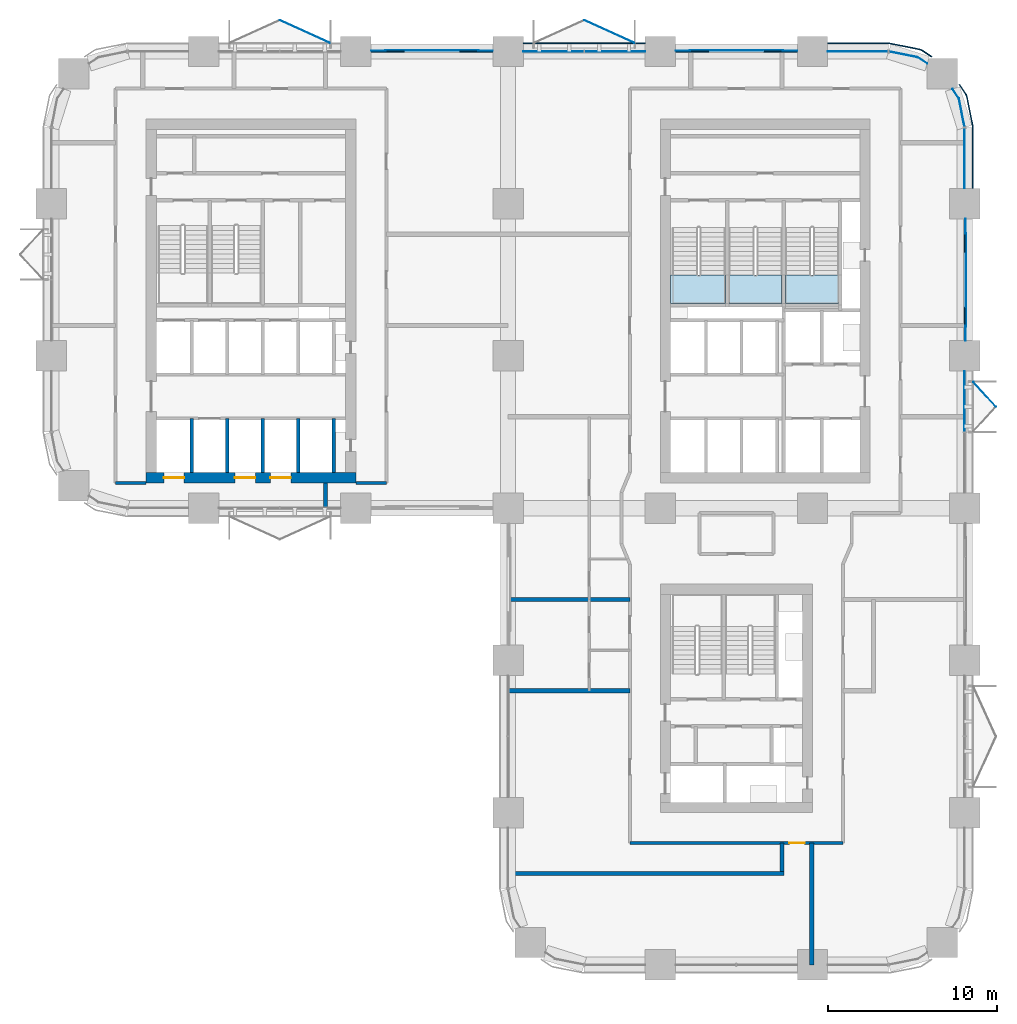
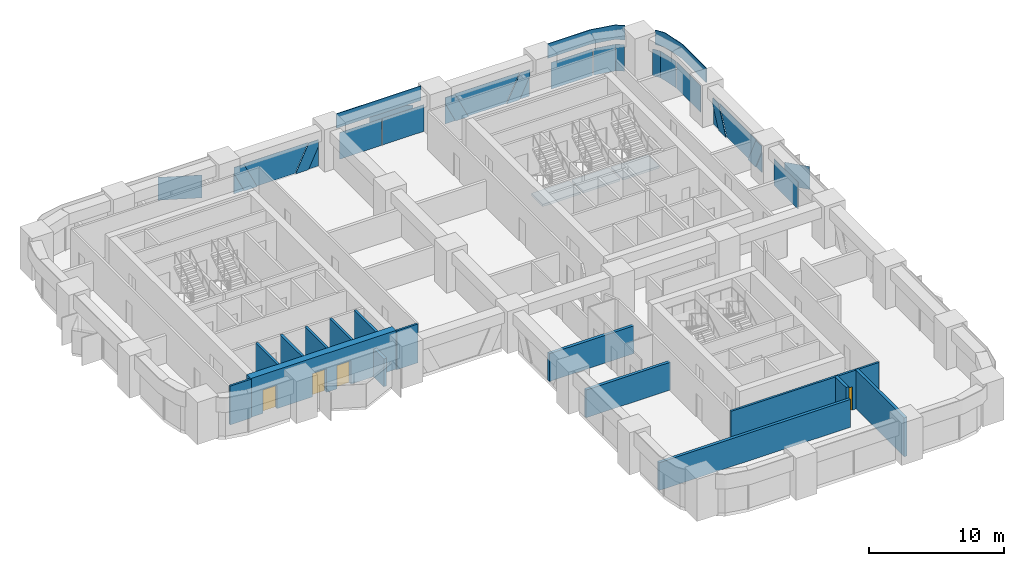
# One storey, part 11 of 18: 28 plates, 15 walls, 4 doors, 3 slabs, 4 openings, 10 elements without a shape of their own.
"""IFC4 building model written with IfcOpenShell, lengths in metres."""

from ifc_helpers import new_model, si_unit, direction, frame, frame_2d, origin, origin_2d, place, context, subcontext, project, spatial, polyline, rectangle, outline, extrude, material, layer, layer_set, type_object, element, fill, aggregate, save


model = new_model("IFC4")

# Units and contexts
model_context = context("Model", 3, precision=1e-05, world=origin(), true_north=direction((0.0, 1.0)))
body_context = subcontext(model_context, "Body", "Model", "MODEL_VIEW")
ifc_project = project(units=[si_unit("LENGTHUNIT", "METRE"), si_unit("AREAUNIT", "SQUARE_METRE"), si_unit("VOLUMEUNIT", "CUBIC_METRE"), si_unit("PLANEANGLEUNIT", "RADIAN"), si_unit("MASSUNIT", "GRAM", prefix="KILO")], contexts=[model_context])

# Site, building, storey
site_placement = place(None, origin())
site = spatial("IfcSite", under=ifc_project, at=site_placement, CompositionType="ELEMENT")
building_placement = place(site_placement, origin())
building = spatial("IfcBuilding", under=site, at=building_placement, Name="Tessera Arch", CompositionType="ELEMENT")
storey_placement = place(building_placement, frame((0.0, 0.0, 89.199951171875)))
storey = spatial("IfcBuildingStorey", under=building, at=storey_placement, Name="L20", CompositionType="ELEMENT", Elevation=89.199951171875)

# Curtain wall, plates
ifc_material_1 = material(Name="CW1 curtain wall")
curtain_wall_type_1 = type_object("IfcCurtainWallType", Name="CW1 curtain wall", PredefinedType="NOTDEFINED", material=ifc_material_1)
curtain_wall_1_placement = place(storey_placement, origin())
curtain_wall_1 = element("IfcCurtainWall", 1, at=curtain_wall_1_placement, inside=storey, type_object=curtain_wall_type_1, Name="CW1 curtain wall N54.0/1 L20", PredefinedType="NOTDEFINED")
ifc_material_2 = material(Name="Clear low-e glass", Category="glass")
ifc_material_3 = material(Name="Clear low-e glass", Category="glass")
ifc_layer_1 = layer(ifc_material_3, 0.028076171875)
ifc_layer_set_1 = layer_set([ifc_layer_1], Name="CW1 glass panel")
plate_type_1 = type_object("IfcPlateType", Name="CW1 glass panel", PredefinedType="CURTAIN_PANEL", material=ifc_layer_set_1)
plate_1_placement = place(storey_placement, frame((33.31494140625, 54.0, 0.0), z_axis=(0.0, 0.0, 1.0), x_axis=(-1.0, 0.0, 0.0)))
plate_1 = element("IfcPlate", 2, at=plate_1_placement, type_object=plate_type_1, material=ifc_material_2, Name="CW1 glass panel N54.0/1 1.1.1", PredefinedType="CURTAIN_PANEL", context=body_context, shape_type="SweptSolid", body=[
    extrude(rectangle(XDim=3.570068359375, YDim=0.028076171875, at=origin_2d()), origin(), (0.0, 0.0, 1.0), 2.39990234375),
])
plate_2_placement = place(storey_placement, frame((29.68505859375, 54.0, 0.0), z_axis=(0.0, 0.0, 1.0), x_axis=(-1.0, 0.0, 0.0)))
plate_2 = element("IfcPlate", 3, at=plate_2_placement, type_object=plate_type_1, material=ifc_material_2, Name="CW1 glass panel N54.0/1 1.2.1", PredefinedType="CURTAIN_PANEL", context=body_context, shape_type="SweptSolid", body=[
    extrude(rectangle(XDim=3.570068359375, YDim=0.028076171875, at=origin_2d()), origin(), (0.0, 0.0, 1.0), 2.39990234375),
])

# Curtain wall, plate
curtain_wall_2_placement = place(storey_placement, origin())
curtain_wall_2 = element("IfcCurtainWall", 4, at=curtain_wall_2_placement, inside=storey, type_object=curtain_wall_type_1, Name="CW1 curtain wall E54.0/3 L20", PredefinedType="NOTDEFINED")
plate_3_placement = place(storey_placement, frame((54.0, 33.31494140625, 0.0), z_axis=(0.0, 0.0, 1.0), x_axis=(0.0, 1.0, 0.0)))
plate_3 = element("IfcPlate", 5, at=plate_3_placement, type_object=plate_type_1, material=ifc_material_2, Name="CW1 glass panel E54.0/3 1.2.1", PredefinedType="CURTAIN_PANEL", context=body_context, shape_type="SweptSolid", body=[
    extrude(rectangle(XDim=3.570068359375, YDim=0.028076171875, at=origin_2d()), origin(), (0.0, 0.0, 1.0), 2.39990234375),
])
aggregate(curtain_wall_2, [plate_3])

# Plate
ifc_material_4 = material(Name="Pale anodised aluminium panel", Category="aluminium")
ifc_layer_2 = layer(ifc_material_4, 0.06005859375)
ifc_layer_set_2 = layer_set([ifc_layer_2], Name="CW1 spandrel panel")
plate_type_2 = type_object("IfcPlateType", Name="CW1 spandrel panel", PredefinedType="CURTAIN_PANEL", material=ifc_layer_set_2)
plate_4_placement = place(storey_placement, frame((31.5, 54.47998046875, 2.5), z_axis=(0.0, 0.0, 1.0), x_axis=(-1.0, 0.0, 0.0)))
plate_4 = element("IfcPlate", 6, at=plate_4_placement, type_object=plate_type_2, Name="CW1 spandrel panel N54.0/1", PredefinedType="CURTAIN_PANEL", context=body_context, shape_type="SweptSolid", body=[
    extrude(rectangle(XDim=7.199951171875, YDim=0.06005859375, at=origin_2d()), origin(), (0.0, 0.0, 1.0), 1.300048828125),
])

aggregate(curtain_wall_1, [plate_1, plate_2, plate_4])

# Curtain wall, plates
ifc_material_5 = material(Name="CW2 curtain wall")
curtain_wall_type_2 = type_object("IfcCurtainWallType", Name="CW2 curtain wall", PredefinedType="NOTDEFINED", material=ifc_material_5)
curtain_wall_3_placement = place(storey_placement, origin())
curtain_wall_3 = element("IfcCurtainWall", 7, at=curtain_wall_3_placement, inside=storey, type_object=curtain_wall_type_2, Name="CW2 curtain wall E54.0/5 L20", PredefinedType="NOTDEFINED")
ifc_material_6 = material(Name="Clear low-e glass", Category="glass")
ifc_layer_3 = layer(ifc_material_6, 0.028076171875)
ifc_layer_set_3 = layer_set([ifc_layer_3], Name="CW2 glass panel")
plate_type_3 = type_object("IfcPlateType", Name="CW2 glass panel", PredefinedType="CURTAIN_PANEL", material=ifc_layer_set_3)
plate_5_placement = place(storey_placement, frame((54.0, 47.679931640625, 0.0), z_axis=(0.0, 0.0, 1.0), x_axis=(0.0, 1.0, 0.0)))
plate_5 = element("IfcPlate", 8, at=plate_5_placement, type_object=plate_type_3, material=ifc_material_2, Name="CW2 glass panel E54.0/5 1.1", PredefinedType="CURTAIN_PANEL", context=body_context, shape_type="SweptSolid", body=[
    extrude(rectangle(XDim=3.56005859375, YDim=0.028076171875, at=origin_2d()), origin(), (0.0, 0.0, 1.0), 2.39990234375),
])
plate_6_placement = place(storey_placement, origin())
plate_6 = element("IfcPlate", 9, at=plate_6_placement, type_object=plate_type_3, material=ifc_material_2, Name="CW2 curved glass panel E54.0/5 2.1", PredefinedType="CURTAIN_PANEL", context=body_context, shape_type="SweptSolid", body=[
    extrude(outline(polyline([(53.644287109375, 51.216552734375), (53.978515625, 49.53662109375), (54.005859375, 49.5419921875), (53.670654296875, 51.2275390625), (53.294921875, 51.789794921875), (53.271728515625, 51.774169921875), (53.644287109375, 51.216552734375)])), origin(), (0.0, 0.0, 1.0), 2.400146484375),
])

curtain_wall_4_placement = place(storey_placement, origin())
curtain_wall_4 = element("IfcCurtainWall", 10, at=curtain_wall_4_placement, inside=storey, type_object=curtain_wall_type_2, Name="CW2 curtain wall N54.0/5 L20", PredefinedType="NOTDEFINED")
plate_7_placement = place(storey_placement, frame((47.679931640625, 54.0, 0.0), z_axis=(0.0, 0.0, 1.0), x_axis=(-1.0, 0.0, 0.0)))
plate_7 = element("IfcPlate", 11, at=plate_7_placement, type_object=plate_type_3, material=ifc_material_2, Name="CW2 glass panel N54.0/5 1.1", PredefinedType="CURTAIN_PANEL", context=body_context, shape_type="SweptSolid", body=[
    extrude(rectangle(XDim=3.56005859375, YDim=0.028076171875, at=origin_2d()), origin(), (0.0, 0.0, 1.0), 2.39990234375),
])
plate_8_placement = place(storey_placement, origin())
plate_8 = element("IfcPlate", 12, at=plate_8_placement, type_object=plate_type_3, material=ifc_material_2, Name="CW2 curved glass panel N54.0/5 2.1", PredefinedType="CURTAIN_PANEL", context=body_context, shape_type="SweptSolid", body=[
    extrude(outline(polyline([(51.216552734375, 53.644287109375), (51.774169921875, 53.271728515625), (51.789794921875, 53.294921875), (51.2275390625, 53.670654296875), (49.5419921875, 54.005859375), (49.53662109375, 53.978515625), (51.216552734375, 53.644287109375)])), origin(), (0.0, 0.0, 1.0), 2.400146484375),
])

# Plate
ifc_material_7 = material(Name="Pale anodised aluminium panel", Category="aluminium")
ifc_layer_4 = layer(ifc_material_7, 0.06005859375)
ifc_layer_set_4 = layer_set([ifc_layer_4], Name="CW2 spandrel panel")
plate_type_4 = type_object("IfcPlateType", Name="CW2 spandrel panel", PredefinedType="CURTAIN_PANEL", material=ifc_layer_set_4)
plate_9_placement = place(storey_placement, frame((0.0, 0.0, 2.5)))
plate_9 = element("IfcPlate", 13, at=plate_9_placement, type_object=plate_type_4, Name="CW2 spandrel panel E54.0/5", PredefinedType="CURTAIN_PANEL", context=body_context, shape_type="SweptSolid", body=[
    extrude(outline(polyline([(54.449951171875, 49.499267578125), (54.449951171875, 45.89990234375), (54.510009765625, 45.89990234375), (54.510009765625, 49.500732421875), (54.507568359375, 49.550048828125), (54.500244140625, 49.598876953125), (54.157470703125, 51.322265625), (54.1455078125, 51.3701171875), (54.128662109375, 51.417236328125), (54.107177734375, 51.462646484375), (54.08203125, 51.5048828125), (53.707275390625, 52.0654296875), (53.657470703125, 52.031982421875), (54.03125, 51.47265625), (54.05419921875, 51.434326171875), (54.0732421875, 51.394287109375), (54.088134765625, 51.352783203125), (54.09912109375, 51.30908203125), (54.441162109375, 49.588623046875), (54.44775390625, 49.544189453125), (54.449951171875, 49.499267578125)])), origin(), (0.0, 0.0, 1.0), 1.300048828125),
])

aggregate(curtain_wall_3, [plate_5, plate_6, plate_9])

plate_10_placement = place(storey_placement, frame((0.0, 0.0, 2.5)))
plate_10 = element("IfcPlate", 14, at=plate_10_placement, type_object=plate_type_4, Name="CW2 spandrel panel N54.0/5", PredefinedType="CURTAIN_PANEL", context=body_context, shape_type="SweptSolid", body=[
    extrude(outline(polyline([(51.47265625, 54.03125), (52.031982421875, 53.657470703125), (52.0654296875, 53.707275390625), (51.5048828125, 54.08203125), (51.462646484375, 54.107177734375), (51.417236328125, 54.128662109375), (51.3701171875, 54.1455078125), (51.322265625, 54.157470703125), (49.598876953125, 54.500244140625), (49.550048828125, 54.507568359375), (49.500732421875, 54.510009765625), (45.89990234375, 54.510009765625), (45.89990234375, 54.449951171875), (49.499267578125, 54.449951171875), (49.544189453125, 54.44775390625), (49.588623046875, 54.441162109375), (51.30908203125, 54.09912109375), (51.352783203125, 54.088134765625), (51.394287109375, 54.0732421875), (51.434326171875, 54.05419921875), (51.47265625, 54.03125)])), origin(), (0.0, 0.0, 1.0), 1.300048828125),
])

aggregate(curtain_wall_4, [plate_7, plate_8, plate_10])

# Curtain wall, plates
ifc_material_8 = material(Name="CW3 curtain wall")
curtain_wall_type_3 = type_object("IfcCurtainWallType", Name="CW3 curtain wall", PredefinedType="NOTDEFINED", material=ifc_material_8)
curtain_wall_5_placement = place(storey_placement, origin())
curtain_wall_5 = element("IfcCurtainWall", 15, at=curtain_wall_5_placement, inside=storey, type_object=curtain_wall_type_3, Name="CW3 curtain wall N54.0/0 L20", PredefinedType="NOTDEFINED")
ifc_material_9 = material(Name="Pale anodised aluminium panel", Category="aluminium")
ifc_layer_5 = layer(ifc_material_9, 0.06005859375)
ifc_layer_set_5 = layer_set([ifc_layer_5], Name="CW3 diagonal panel")
plate_type_5 = type_object("IfcPlateType", Name="CW3 diagonal panel", PredefinedType="CURTAIN_PANEL", material=ifc_layer_set_5)
plate_11_placement = place(storey_placement, frame((36.89990234375, 54.030029296875, 2.400146484375), z_axis=(0.0, 1.0, 0.0), x_axis=(1.0, 0.0, 0.0)))
plate_11 = element("IfcPlate", 16, at=plate_11_placement, type_object=plate_type_5, Name="CW3 diagonal panel N54.0/0 1", PredefinedType="CURTAIN_PANEL", context=body_context, shape_type="SweptSolid", body=[
    extrude(outline(polyline([(0.0, 0.0), (0.834228515625, 0.0), (1.97119140625, 2.400146484375), (0.87109375, 2.400146484375), (0.0, 0.56103515625), (0.0, 0.0)])), origin(), (0.0, 0.0, -1.0), 0.06005859375),
])
plate_12_placement = place(storey_placement, frame((44.10009765625, 54.030029296875, 2.400146484375), z_axis=(0.0, 1.0, 0.0), x_axis=(0.0, 0.0, -1.0)))
plate_12 = element("IfcPlate", 17, at=plate_12_placement, type_object=plate_type_5, Name="CW3 diagonal panel N54.0/0 2", PredefinedType="CURTAIN_PANEL", context=body_context, shape_type="SweptSolid", body=[
    extrude(outline(polyline([(0.0, 0.0), (0.56103515625, 0.0), (2.400146484375, 0.87109375), (2.400146484375, 1.97119140625), (0.0, 0.834228515625), (0.0, 0.0)])), origin(), (0.0, 0.0, -1.0), 0.06005859375),
])

curtain_wall_6_placement = place(storey_placement, origin())
curtain_wall_6 = element("IfcCurtainWall", 18, at=curtain_wall_6_placement, inside=storey, type_object=curtain_wall_type_3, Name="CW3 curtain wall N54.0/2 L20", PredefinedType="NOTDEFINED")
plate_13_placement = place(storey_placement, frame((18.89990234375, 54.030029296875, 2.400146484375), z_axis=(0.0, 1.0, 0.0), x_axis=(1.0, 0.0, 0.0)))
plate_13 = element("IfcPlate", 19, at=plate_13_placement, type_object=plate_type_5, Name="CW3 diagonal panel N54.0/2 1", PredefinedType="CURTAIN_PANEL", context=body_context, shape_type="SweptSolid", body=[
    extrude(outline(polyline([(0.0, 0.0), (0.834228515625, 0.0), (1.97119140625, 2.400146484375), (0.87109375, 2.400146484375), (0.0, 0.56103515625), (0.0, 0.0)])), origin(), (0.0, 0.0, -1.0), 0.06005859375),
])
plate_14_placement = place(storey_placement, frame((26.10009765625, 54.030029296875, 2.400146484375), z_axis=(0.0, 1.0, 0.0), x_axis=(0.0, 0.0, -1.0)))
plate_14 = element("IfcPlate", 20, at=plate_14_placement, type_object=plate_type_5, Name="CW3 diagonal panel N54.0/2 2", PredefinedType="CURTAIN_PANEL", context=body_context, shape_type="SweptSolid", body=[
    extrude(outline(polyline([(0.0, 0.0), (0.56103515625, 0.0), (2.400146484375, 0.87109375), (2.400146484375, 1.97119140625), (0.0, 0.834228515625), (0.0, 0.0)])), origin(), (0.0, 0.0, -1.0), 0.06005859375),
])

curtain_wall_7_placement = place(storey_placement, origin())
curtain_wall_7 = element("IfcCurtainWall", 21, at=curtain_wall_7_placement, inside=storey, type_object=curtain_wall_type_3, Name="CW3 curtain wall E54.0/4 L20", PredefinedType="NOTDEFINED")
plate_15_placement = place(storey_placement, frame((54.030029296875, 44.10009765625, 2.400146484375), z_axis=(1.0, 0.0, 0.0), x_axis=(0.0, -1.0, 0.0)))
plate_15 = element("IfcPlate", 22, at=plate_15_placement, type_object=plate_type_5, Name="CW3 diagonal panel E54.0/4 1", PredefinedType="CURTAIN_PANEL", context=body_context, shape_type="SweptSolid", body=[
    extrude(outline(polyline([(0.0, 0.0), (0.834228515625, 0.0), (1.97119140625, 2.400146484375), (0.87109375, 2.400146484375), (0.0, 0.56103515625), (0.0, 0.0)])), origin(), (0.0, 0.0, -1.0), 0.06005859375),
])
plate_16_placement = place(storey_placement, frame((54.030029296875, 36.89990234375, 2.400146484375), z_axis=(1.0, 0.0, 0.0), x_axis=(0.0, 0.0, -1.0)))
plate_16 = element("IfcPlate", 23, at=plate_16_placement, type_object=plate_type_5, Name="CW3 diagonal panel E54.0/4 2", PredefinedType="CURTAIN_PANEL", context=body_context, shape_type="SweptSolid", body=[
    extrude(outline(polyline([(0.0, 0.0), (0.56103515625, 0.0), (2.400146484375, 0.87109375), (2.400146484375, 1.97119140625), (0.0, 0.834228515625), (0.0, 0.0)])), origin(), (0.0, 0.0, -1.0), 0.06005859375),
])

# Plate
ifc_material_10 = material(Name="Clear low-e glass", Category="glass")
ifc_layer_6 = layer(ifc_material_10, 0.028076171875)
ifc_layer_set_6 = layer_set([ifc_layer_6], Name="CW3 glass panel")
plate_type_6 = type_object("IfcPlateType", Name="CW3 glass panel", PredefinedType="CURTAIN_PANEL", material=ifc_layer_set_6)
plate_17_placement = place(storey_placement, frame((44.10009765625, 54.05810546875, 0.0), z_axis=(0.0, 1.0, 0.0), x_axis=(-1.0, 0.0, 0.0)))
plate_17 = element("IfcPlate", 24, at=plate_17_placement, type_object=plate_type_6, material=ifc_material_2, Name="CW3 triangulated glass panel N54.0/0 1", PredefinedType="CURTAIN_PANEL", context=body_context, shape_type="SweptSolid", body=[
    extrude(outline(polyline([(0.0, 0.0), (0.87109375, 0.0), (0.0, 1.839111328125), (0.0, 0.0)])), origin(), (0.0, 0.0, -1.0), 0.028076171875),
])

plate_18_placement = place(storey_placement, frame((37.734130859375, 54.0859375, 2.400146484375), z_axis=(0.0, 1.0, 0.0), x_axis=(1.0, 0.0, 0.0)))
plate_18 = element("IfcPlate", 25, at=plate_18_placement, type_object=plate_type_6, material=ifc_material_2, Name="CW3 triangulated glass panel N54.0/0 2", PredefinedType="CURTAIN_PANEL", context=body_context, shape_type="SweptSolid", body=[
    extrude(outline(polyline([(0.0, 0.0), (5.53173828125, 0.0), (4.394775390625, 2.400146484375), (1.136962890625, 2.400146484375), (0.0, 0.0)])), origin(), (0.0, 0.0, -1.0), 0.028076171875),
])

plate_19_placement = place(storey_placement, frame((36.89990234375, 54.05810546875, 0.0), z_axis=(0.0, 1.0, 0.0), x_axis=(0.0, 0.0, 1.0)))
plate_19 = element("IfcPlate", 26, at=plate_19_placement, type_object=plate_type_6, material=ifc_material_2, Name="CW3 triangulated glass panel N54.0/0 3", PredefinedType="CURTAIN_PANEL", context=body_context, shape_type="SweptSolid", body=[
    extrude(outline(polyline([(0.0, 0.0), (1.839111328125, 0.0), (0.0, 0.87109375), (0.0, 0.0)])), origin(), (0.0, 0.0, -1.0), 0.028076171875),
])

aggregate(curtain_wall_5, [plate_17, plate_18, plate_19, plate_11, plate_12])

plate_20_placement = place(storey_placement, frame((26.10009765625, 54.05810546875, 0.0), z_axis=(0.0, 1.0, 0.0), x_axis=(-1.0, 0.0, 0.0)))
plate_20 = element("IfcPlate", 27, at=plate_20_placement, type_object=plate_type_6, material=ifc_material_2, Name="CW3 triangulated glass panel N54.0/2 1", PredefinedType="CURTAIN_PANEL", context=body_context, shape_type="SweptSolid", body=[
    extrude(outline(polyline([(0.0, 0.0), (0.87109375, 0.0), (0.0, 1.839111328125), (0.0, 0.0)])), origin(), (0.0, 0.0, -1.0), 0.028076171875),
])

plate_21_placement = place(storey_placement, frame((19.734130859375, 54.0859375, 2.400146484375), z_axis=(0.0, 1.0, 0.0), x_axis=(1.0, 0.0, 0.0)))
plate_21 = element("IfcPlate", 28, at=plate_21_placement, type_object=plate_type_6, material=ifc_material_2, Name="CW3 triangulated glass panel N54.0/2 2", PredefinedType="CURTAIN_PANEL", context=body_context, shape_type="SweptSolid", body=[
    extrude(outline(polyline([(0.0, 0.0), (5.53173828125, 0.0), (4.394775390625, 2.400146484375), (1.136962890625, 2.400146484375), (0.0, 0.0)])), origin(), (0.0, 0.0, -1.0), 0.028076171875),
])

plate_22_placement = place(storey_placement, frame((18.89990234375, 54.05810546875, 0.0), z_axis=(0.0, 1.0, 0.0), x_axis=(0.0, 0.0, 1.0)))
plate_22 = element("IfcPlate", 29, at=plate_22_placement, type_object=plate_type_6, material=ifc_material_2, Name="CW3 triangulated glass panel N54.0/2 3", PredefinedType="CURTAIN_PANEL", context=body_context, shape_type="SweptSolid", body=[
    extrude(outline(polyline([(0.0, 0.0), (1.839111328125, 0.0), (0.0, 0.87109375), (0.0, 0.0)])), origin(), (0.0, 0.0, -1.0), 0.028076171875),
])

aggregate(curtain_wall_6, [plate_20, plate_21, plate_22, plate_13, plate_14])

plate_23_placement = place(storey_placement, frame((54.05810546875, 36.89990234375, 0.0), z_axis=(1.0, 0.0, 0.0), x_axis=(0.0, 1.0, 0.0)))
plate_23 = element("IfcPlate", 30, at=plate_23_placement, type_object=plate_type_6, material=ifc_material_2, Name="CW3 triangulated glass panel E54.0/4 1", PredefinedType="CURTAIN_PANEL", context=body_context, shape_type="SweptSolid", body=[
    extrude(outline(polyline([(0.0, 0.0), (0.87109375, 0.0), (0.0, 1.839111328125), (0.0, 0.0)])), origin(), (0.0, 0.0, -1.0), 0.028076171875),
])

plate_24_placement = place(storey_placement, frame((54.0859375, 43.265869140625, 2.400146484375), z_axis=(1.0, 0.0, 0.0), x_axis=(0.0, -1.0, 0.0)))
plate_24 = element("IfcPlate", 31, at=plate_24_placement, type_object=plate_type_6, material=ifc_material_2, Name="CW3 triangulated glass panel E54.0/4 2", PredefinedType="CURTAIN_PANEL", context=body_context, shape_type="SweptSolid", body=[
    extrude(outline(polyline([(0.0, 0.0), (5.53173828125, 0.0), (4.394775390625, 2.400146484375), (1.136962890625, 2.400146484375), (0.0, 0.0)])), origin(), (0.0, 0.0, -1.0), 0.028076171875),
])

plate_25_placement = place(storey_placement, frame((54.05810546875, 44.10009765625, 0.0), z_axis=(1.0, 0.0, 0.0), x_axis=(0.0, 0.0, 1.0)))
plate_25 = element("IfcPlate", 32, at=plate_25_placement, type_object=plate_type_6, material=ifc_material_2, Name="CW3 triangulated glass panel E54.0/4 3", PredefinedType="CURTAIN_PANEL", context=body_context, shape_type="SweptSolid", body=[
    extrude(outline(polyline([(0.0, 0.0), (1.839111328125, 0.0), (0.0, 0.87109375), (0.0, 0.0)])), origin(), (0.0, 0.0, -1.0), 0.028076171875),
])

aggregate(curtain_wall_7, [plate_23, plate_24, plate_25, plate_15, plate_16])

# Stair, slab
ifc_material_11 = material(Name="Concrete C40/50", Category="concrete")
stair_type = type_object("IfcStairType", Name="Dogleg stair 1520", PredefinedType="HALF_TURN_STAIR", material=ifc_material_11)
stair_1_placement = place(storey_placement, origin())
stair_1 = element("IfcStair", 33, at=stair_1_placement, inside=storey, type_object=stair_type, Name="L20 S1a", PredefinedType="HALF_TURN_STAIR")
ifc_material_12 = material(Name="Concrete C40/50", Category="concrete")
ifc_layer_7 = layer(ifc_material_12, 0.300048828125)
ifc_layer_set_7 = layer_set([ifc_layer_7], Name="Stair landing 300")
slab_type = type_object("IfcSlabType", Name="Stair landing 300", PredefinedType="LANDING", material=ifc_layer_set_7)
slab_1_placement = place(storey_placement, frame((0.0, 0.0, 1.699951171875)))
slab_1 = element("IfcSlab", 34, at=slab_1_placement, type_object=slab_type, Name="S1a landing 1", PredefinedType="LANDING", context=body_context, shape_type="SweptSolid", body=[
    extrude(outline(polyline([(36.60009765625, 40.780029296875), (36.60009765625, 39.10009765625), (39.85009765625, 39.10009765625), (39.85009765625, 40.780029296875), (36.60009765625, 40.780029296875)])), origin(), (0.0, 0.0, 1.0), 0.2001953125),
])
aggregate(stair_1, [slab_1])

stair_2_placement = place(storey_placement, origin())
stair_2 = element("IfcStair", 35, at=stair_2_placement, inside=storey, type_object=stair_type, Name="L20 S1b", PredefinedType="HALF_TURN_STAIR")
slab_2_placement = place(storey_placement, frame((0.0, 0.0, 1.699951171875)))
slab_2 = element("IfcSlab", 36, at=slab_2_placement, type_object=slab_type, Name="S1b landing 1", PredefinedType="LANDING", context=body_context, shape_type="SweptSolid", body=[
    extrude(outline(polyline([(40.050048828125, 40.780029296875), (40.050048828125, 39.10009765625), (43.199951171875, 39.10009765625), (43.199951171875, 40.780029296875), (40.050048828125, 40.780029296875)])), origin(), (0.0, 0.0, 1.0), 0.2001953125),
])
aggregate(stair_2, [slab_2])

stair_3_placement = place(storey_placement, origin())
stair_3 = element("IfcStair", 37, at=stair_3_placement, inside=storey, type_object=stair_type, Name="L20 S1c", PredefinedType="HALF_TURN_STAIR")
slab_3_placement = place(storey_placement, frame((0.0, 0.0, 1.699951171875)))
slab_3 = element("IfcSlab", 38, at=slab_3_placement, type_object=slab_type, Name="S1c landing 1", PredefinedType="LANDING", context=body_context, shape_type="SweptSolid", body=[
    extrude(outline(polyline([(43.39990234375, 40.780029296875), (43.39990234375, 39.10009765625), (46.550048828125, 39.10009765625), (46.550048828125, 40.780029296875), (43.39990234375, 40.780029296875)])), origin(), (0.0, 0.0, 1.0), 0.2001953125),
])
aggregate(stair_3, [slab_3])

# Plates
ifc_material_13 = material(Name="Clear low-e glass", Category="glass")
ifc_layer_8 = layer(ifc_material_13, 0.028076171875)
ifc_layer_set_8 = layer_set([ifc_layer_8], Name="Window box glass facet")
plate_type_7 = type_object("IfcPlateType", Name="Window box glass facet", PredefinedType="SHEET", material=ifc_layer_set_8)
plate_26_placement = place(storey_placement, frame((55.179931640625, 33.72509765625, 0.219970703125), z_axis=(0.0, 0.0, 1.0), x_axis=(0.678700720617, -0.734414958885, 0.0)))
element("IfcPlate", 39, at=plate_26_placement, inside=storey, type_object=plate_type_7, Name="Window box E54.0/3.1 1x1 glass", PredefinedType="SHEET", context=body_context, shape_type="SweptSolid", body=[
    extrude(rectangle(XDim=1.974365234375, YDim=0.028076171875, at=origin_2d()), origin(), (0.0, 0.0, 1.0), 2.06005859375),
])
for number, where, z_axis, x_axis, name in (
    (40, (32.97509765625, 55.179931640625, 0.219970703125), (0.0, 0.0, 1.0), (-0.910472144558, 0.413570397858, 0.0), "Window box N54.0/1.0 2x1 glass"),
    (41, (14.97509765625, 55.179931640625, 0.219970703125), (0.0, 0.0, 1.0), (-0.910472144558, 0.413570397858, 0.0), "Window box N54.0/3.0 2x1 glass"),
):
    element("IfcPlate", number, at=place(storey_placement, frame(where, z_axis=z_axis, x_axis=x_axis)), inside=storey, type_object=plate_type_7, Name=name, PredefinedType="SHEET", context=body_context, shape_type="SweptSolid", body=[
        extrude(rectangle(XDim=3.239990234375, YDim=0.028076171875, at=origin_2d()), origin(), (0.0, 0.0, 1.0), 2.06005859375),
    ])

# Wall, openings, doors
ifc_material_14 = material(Name="Concrete C70/85", Category="concrete")
ifc_layer_9 = layer(ifc_material_14, 0.60009765625)
ifc_layer_set_9 = layer_set([ifc_layer_9], Name="Core shell wall 600 C70-85")
wall_type_1 = type_object("IfcWallType", Name="Core shell wall 600 C70-85", PredefinedType="SHEAR", material=ifc_layer_set_9)
wall_1_placement = place(storey_placement, frame((5.60009765625, 28.800048828125, 0.0), z_axis=(0.0, 0.0, 1.0), x_axis=(1.0, 0.0, 0.0)))
wall_1 = element("IfcWall", 42, at=wall_1_placement, inside=storey, type_object=wall_type_1, Name="L20 C2 core wall S", PredefinedType="SHEAR", context=body_context, shape_type="SweptSolid", body=[
    extrude(rectangle(XDim=12.39990234375, YDim=0.60009765625, at=frame_2d((6.199951171875, 0.0))), origin(), (0.0, 0.0, 1.0), 3.5),
])
opening_1_placement = place(wall_1_placement, frame((1.050048828125, 0.0, 0.0)))
opening_1 = element("IfcOpeningElement", 43, at=opening_1_placement, cuts=wall_1, Name="Opening L20-C13", PredefinedType="OPENING", context=body_context, shape_type="SweptSolid", body=[
    extrude(rectangle(XDim=1.199951171875, YDim=2.10009765625, at=frame_2d((0.60009765625, 1.050048828125))), frame((0.0, 0.31005859375, 0.0), z_axis=(0.0, -1.0, 0.0), x_axis=(1.0, 0.0, 0.0)), (0.0, 0.0, 1.0), 0.6201171875),
])
opening_2_placement = place(wall_1_placement, frame((5.25, 0.0, 0.0)))
opening_2 = element("IfcOpeningElement", 44, at=opening_2_placement, cuts=wall_1, Name="Opening L20-C15", PredefinedType="OPENING", context=body_context, shape_type="SweptSolid", body=[
    extrude(rectangle(XDim=1.199951171875, YDim=2.10009765625, at=frame_2d((0.60009765625, 1.050048828125))), frame((0.0, 0.31005859375, 0.0), z_axis=(0.0, -1.0, 0.0), x_axis=(1.0, 0.0, 0.0)), (0.0, 0.0, 1.0), 0.6201171875),
])
opening_3_placement = place(wall_1_placement, frame((7.35009765625, 0.0, 0.0)))
opening_3 = element("IfcOpeningElement", 45, at=opening_3_placement, cuts=wall_1, Name="Opening L20-C16", PredefinedType="OPENING", context=body_context, shape_type="SweptSolid", body=[
    extrude(rectangle(XDim=1.199951171875, YDim=2.10009765625, at=frame_2d((0.60009765625, 1.050048828125))), frame((0.0, 0.31005859375, 0.0), z_axis=(0.0, -1.0, 0.0), x_axis=(1.0, 0.0, 0.0)), (0.0, 0.0, 1.0), 0.6201171875),
])
ifc_material_15 = material(Name="Stainless steel AISI 304", Category="steel")
door_type_1 = type_object("IfcDoorType", Name="Sliding landing door 1200 x 2100", OperationType="SLIDING_TO_LEFT", PredefinedType="DOOR", material=ifc_material_15)
door_1_placement = place(opening_1_placement, origin())
door_1 = element("IfcDoor", 46, at=door_1_placement, inside=storey, type_object=door_type_1, Name="L20 LR1 lift landing door C13 type LD", OperationType="SLIDING_TO_LEFT", OverallHeight=2.10009765625, OverallWidth=1.199951171875, PredefinedType="DOOR", context=body_context, shape_type="SweptSolid", body=[
    extrude(rectangle(XDim=1.199951171875, YDim=2.10009765625, at=frame_2d((0.60009765625, 1.050048828125))), frame((0.0, 0.02490234375, 0.0), z_axis=(0.0, -1.0, 0.0), x_axis=(1.0, 0.0, 0.0)), (0.0, 0.0, 1.0), 0.050048828125),
])
fill(opening_1, door_1)
door_2_placement = place(opening_2_placement, origin())
door_2 = element("IfcDoor", 47, at=door_2_placement, inside=storey, type_object=door_type_1, Name="L20 LR3 lift landing door C15 type LD", OperationType="SLIDING_TO_LEFT", OverallHeight=2.10009765625, OverallWidth=1.199951171875, PredefinedType="DOOR", context=body_context, shape_type="SweptSolid", body=[
    extrude(rectangle(XDim=1.199951171875, YDim=2.10009765625, at=frame_2d((0.60009765625, 1.050048828125))), frame((0.0, 0.02490234375, 0.0), z_axis=(0.0, -1.0, 0.0), x_axis=(1.0, 0.0, 0.0)), (0.0, 0.0, 1.0), 0.050048828125),
])
fill(opening_2, door_2)
door_3_placement = place(opening_3_placement, origin())
door_3 = element("IfcDoor", 48, at=door_3_placement, inside=storey, type_object=door_type_1, Name="L20 LR4 lift landing door C16 type LD", OperationType="SLIDING_TO_LEFT", OverallHeight=2.10009765625, OverallWidth=1.199951171875, PredefinedType="DOOR", context=body_context, shape_type="SweptSolid", body=[
    extrude(rectangle(XDim=1.199951171875, YDim=2.10009765625, at=frame_2d((0.60009765625, 1.050048828125))), frame((0.0, 0.02490234375, 0.0), z_axis=(0.0, -1.0, 0.0), x_axis=(1.0, 0.0, 0.0)), (0.0, 0.0, 1.0), 0.050048828125),
])
fill(opening_3, door_3)

# Wall, opening, door
ifc_material_16 = material(Name="Gypsum board on deep steel stud with mineral wool", Category="steel")
ifc_layer_10 = layer(ifc_material_16, 0.175048828125)
ifc_layer_set_10 = layer_set([ifc_layer_10], Name="Corridor wall 175 EI 60")
wall_type_2 = type_object("IfcWallType", Name="Corridor wall 175 EI 60", PredefinedType="PARTITIONING", material=ifc_layer_set_10)
wall_2_placement = place(storey_placement, frame((34.199951171875, 7.199951171875, 0.0), z_axis=(0.0, 0.0, 1.0), x_axis=(1.0, 0.0, 0.0)))
wall_2 = element("IfcWall", 49, at=wall_2_placement, inside=storey, type_object=wall_type_2, Name="L20 partition 1", PredefinedType="PARTITIONING", context=body_context, shape_type="SweptSolid", body=[
    extrude(rectangle(XDim=12.60009765625, YDim=0.175048828125, at=frame_2d((6.300048828125, 0.0))), origin(), (0.0, 0.0, 1.0), 3.5),
])
opening_4_placement = place(wall_2_placement, frame((9.430419921875, 0.0, 0.0)))
opening_4 = element("IfcOpeningElement", 50, at=opening_4_placement, cuts=wall_2, Name="Opening L20-D001", PredefinedType="OPENING", context=body_context, shape_type="SweptSolid", body=[
    extrude(rectangle(XDim=0.89990234375, YDim=2.10009765625, at=frame_2d((0.449951171875, 1.050048828125))), frame((0.0, 0.097412109375, 0.0), z_axis=(0.0, -1.0, 0.0), x_axis=(1.0, 0.0, 0.0)), (0.0, 0.0, 1.0), 0.195068359375),
])
ifc_material_17 = material(Name="Timber door leaf", Category="wood")
door_type_2 = type_object("IfcDoorType", Name="Room door 900 x 2100", OperationType="SINGLE_SWING_LEFT", PredefinedType="DOOR", material=ifc_material_17)
door_4_placement = place(opening_4_placement, origin())
door_4 = element("IfcDoor", 51, at=door_4_placement, inside=storey, type_object=door_type_2, Name="L20 door D001 type D01", OperationType="SINGLE_SWING_RIGHT", OverallHeight=2.10009765625, OverallWidth=0.89990234375, PredefinedType="DOOR", context=body_context, shape_type="SweptSolid", body=[
    extrude(rectangle(XDim=0.89990234375, YDim=2.10009765625, at=frame_2d((0.449951171875, 1.050048828125))), frame((0.0, 0.02490234375, 0.0), z_axis=(0.0, -1.0, 0.0), x_axis=(1.0, 0.0, 0.0)), (0.0, 0.0, 1.0), 0.050048828125),
])
fill(opening_4, door_4)

# Walls
for number, where, z_axis, x_axis, name in (
    (52, (3.800048828125, 28.5, 0.0), (0.0, 0.0, 1.0), (1.0, 0.0, 0.0), "L20 partition 5"),
    (53, (18.0, 28.5, 0.0), (0.0, 0.0, 1.0), (1.0, 0.0, 0.0), "L20 partition 6"),
):
    element("IfcWall", number, at=place(storey_placement, frame(where, z_axis=z_axis, x_axis=x_axis)), inside=storey, type_object=wall_type_2, Name=name, PredefinedType="PARTITIONING", context=body_context, shape_type="SweptSolid", body=[
        extrude(rectangle(XDim=1.800048828125, YDim=0.175048828125, at=frame_2d((0.89990234375, 0.0))), origin(), (0.0, 0.0, 1.0), 3.5),
    ])
ifc_material_18 = material(Name="Double gypsum board on twin steel stud with acoustic mineral wool", Category="steel")
ifc_layer_11 = layer(ifc_material_18, 0.25)
ifc_layer_set_11 = layer_set([ifc_layer_11], Name="Party wall 250 EI 60")
wall_type_3 = type_object("IfcWallType", Name="Party wall 250 EI 60", PredefinedType="PARTITIONING", material=ifc_layer_set_11)
wall_3_placement = place(storey_placement, frame((27.0, 5.39990234375, 0.0), z_axis=(0.0, 0.0, 1.0), x_axis=(1.0, 0.0, 0.0)))
element("IfcWall", 54, at=wall_3_placement, inside=storey, type_object=wall_type_3, Name="L20 partition 21", PredefinedType="PARTITIONING", context=body_context, shape_type="SweptSolid", body=[
    extrude(rectangle(XDim=16.324951171875, YDim=0.25, at=frame_2d((8.16259765625, 0.0))), origin(), (0.0, 0.0, 1.0), 2.5),
])
for number, where, z_axis, x_axis, name in (
    (55, (27.0, 16.199951171875, 0.0), (0.0, 0.0, 1.0), (1.0, 0.0, 0.0), "L20 partition 22"),
    (56, (27.0, 21.60009765625, 0.0), (0.0, 0.0, 1.0), (1.0, 0.0, 0.0), "L20 partition 24"),
):
    element("IfcWall", number, at=place(storey_placement, frame(where, z_axis=z_axis, x_axis=x_axis)), inside=storey, type_object=wall_type_3, Name=name, PredefinedType="PARTITIONING", context=body_context, shape_type="SweptSolid", body=[
        extrude(rectangle(XDim=7.199951171875, YDim=0.25, at=frame_2d((3.60009765625, 0.0))), origin(), (0.0, 0.0, 1.0), 2.5),
    ])
wall_4_placement = place(storey_placement, frame((16.199951171875, 27.0, 0.0), z_axis=(0.0, 0.0, 1.0), x_axis=(0.0, 1.0, 0.0)))
element("IfcWall", 57, at=wall_4_placement, inside=storey, type_object=wall_type_3, Name="L20 partition 36", PredefinedType="PARTITIONING", context=body_context, shape_type="SweptSolid", body=[
    extrude(rectangle(XDim=1.5, YDim=0.25, at=frame_2d((0.75, 0.0))), origin(), (0.0, 0.0, 1.0), 2.5),
])
wall_5_placement = place(storey_placement, frame((43.199951171875, 5.52490234375, 0.0), z_axis=(0.0, 0.0, 1.0), x_axis=(0.0, 1.0, 0.0)))
element("IfcWall", 58, at=wall_5_placement, inside=storey, type_object=wall_type_3, Name="L20 partition 40", PredefinedType="PARTITIONING", context=body_context, shape_type="SweptSolid", body=[
    extrude(rectangle(XDim=1.675048828125, YDim=0.25, at=frame_2d((0.83740234375, 0.0))), origin(), (0.0, 0.0, 1.0), 3.5),
])
wall_6_placement = place(storey_placement, frame((44.9609375, 0.0, 0.0), z_axis=(0.0, 0.0, 1.0), x_axis=(0.0, 1.0, 0.0)))
element("IfcWall", 59, at=wall_6_placement, inside=storey, type_object=wall_type_3, Name="L20 partition 42", PredefinedType="PARTITIONING", context=body_context, shape_type="SweptSolid", body=[
    extrude(rectangle(XDim=7.199951171875, YDim=0.25, at=frame_2d((3.60009765625, 0.0))), origin(), (0.0, 0.0, 1.0), 3.5),
])
ifc_material_19 = material(Name="Concrete C40/50", Category="concrete")
ifc_layer_12 = layer(ifc_material_19, 0.199951171875)
ifc_layer_set_12 = layer_set([ifc_layer_12], Name="Shaft wall 200 EI 120")
wall_type_4 = type_object("IfcWallType", Name="Shaft wall 200 EI 120", PredefinedType="SOLIDWALL", material=ifc_layer_set_12)
for number, where, z_axis, x_axis, name in (
    (60, (8.300048828125, 29.10009765625, 0.0), (0.0, 0.0, 1.0), (0.0, 1.0, 0.0), "L20 C2 shaft wall 1"),
    (61, (10.39990234375, 29.10009765625, 0.0), (0.0, 0.0, 1.0), (0.0, 1.0, 0.0), "L20 C2 shaft wall 6"),
    (62, (12.5, 29.10009765625, 0.0), (0.0, 0.0, 1.0), (0.0, 1.0, 0.0), "L20 C2 shaft wall 8"),
    (63, (14.60009765625, 29.10009765625, 0.0), (0.0, 0.0, 1.0), (0.0, 1.0, 0.0), "L20 C2 shaft wall 12"),
    (64, (16.699951171875, 29.10009765625, 0.0), (0.0, 0.0, 1.0), (0.0, 1.0, 0.0), "L20 C2 shaft wall 15"),
):
    element("IfcWall", number, at=place(storey_placement, frame(where, z_axis=z_axis, x_axis=x_axis)), inside=storey, type_object=wall_type_4, Name=name, PredefinedType="SOLIDWALL", context=body_context, shape_type="SweptSolid", body=[
        extrude(rectangle(XDim=3.199951171875, YDim=0.199951171875, at=frame_2d((1.60009765625, 0.0))), origin(), (0.0, 0.0, 1.0), 3.5),
    ])

save(model, "model.ifc")
